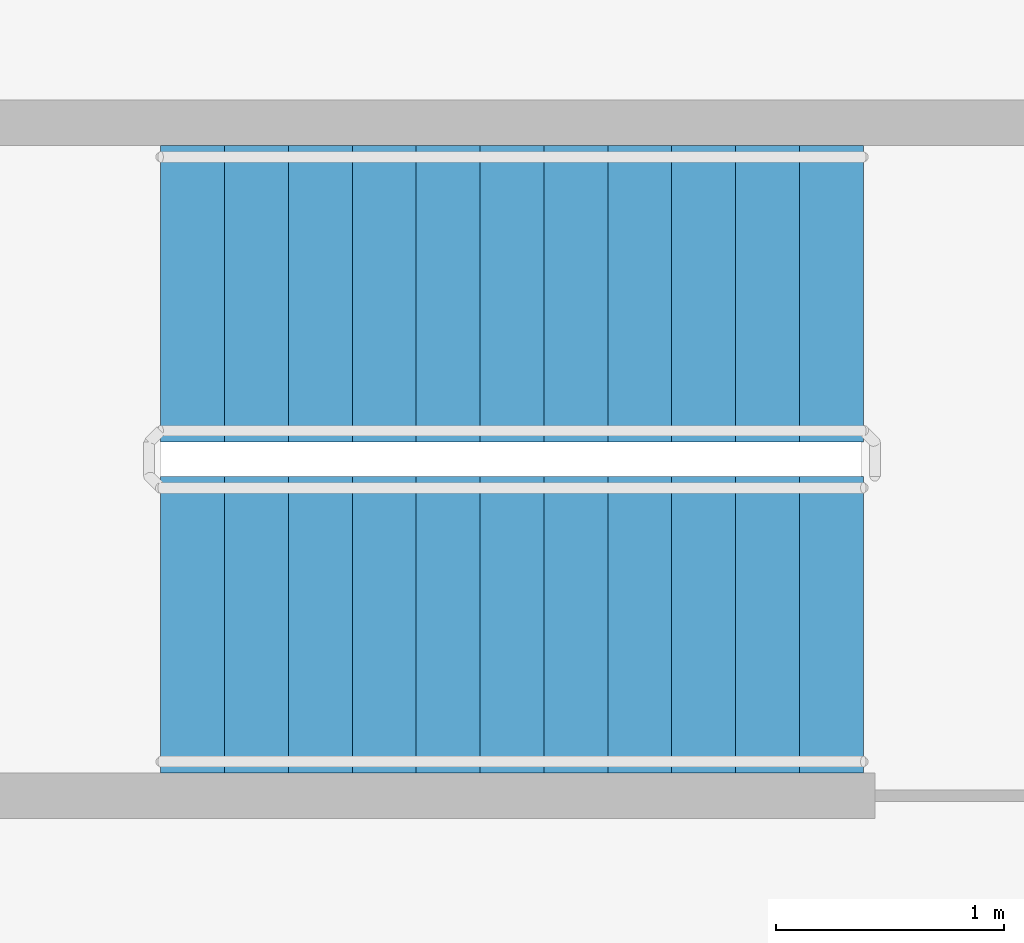
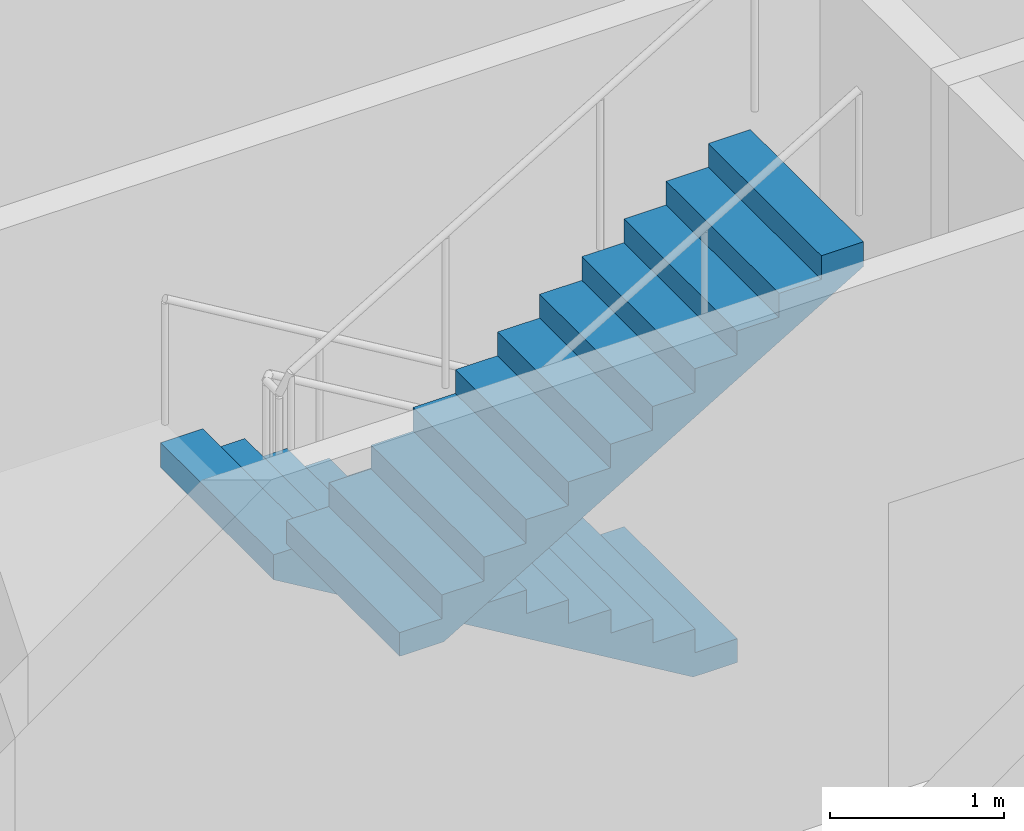
# One storey, part 8 of 9: 2 stair flights, 1 element without a shape of its own.
"""IFC4 building model written with IfcOpenShell, lengths in metres."""

import ifcopenshell
import ifcopenshell.guid

model = None  # the IFC model being written
_history = None  # IfcOwnerHistory: only IFC2X3 demands one
_inside = {}  # id of a spatial element -> (the spatial element, [elements in it])
_under = {}  # id of a project, library or spatial element -> (it, [spatial elements below it])
_declared = {}  # id of a project -> (the project, [libraries it declares])
_typed = {}  # id of a type object -> (the type object, [elements of that type])
_made_of = {}  # id of a material, layer set ... -> (it, [elements and type objects made of it])


def new_model(schema):
    """Start an empty IFC model of exactly this schema.

    Asked for "IFC4X3", IfcOpenShell would pick the latest addendum, in which some entities
    have other attributes; the version numbers below select the first issue.
    IFC2X3 requires an IfcOwnerHistory on every rooted entity: one is made here for all.
    """
    global model, _history
    if schema == "IFC4X3":
        model = ifcopenshell.file(schema_version=(4, 3, 0, 0))
    else:
        model = ifcopenshell.file(schema=schema)
    _inside.clear()
    _under.clear()
    _declared.clear()
    _typed.clear()
    _made_of.clear()
    _history = None
    if model.schema == "IFC2X3":
        org = make("IfcOrganization", Name="unknown")
        user = make(
            "IfcPersonAndOrganization",
            ThePerson=make("IfcPerson", FamilyName="unknown"),
            TheOrganization=org,
        )
        app = make(
            "IfcApplication",
            ApplicationDeveloper=org,
            Version="unknown",
            ApplicationFullName="unknown",
            ApplicationIdentifier="unknown",
        )
        _history = make(
            "IfcOwnerHistory",
            OwningUser=user,
            OwningApplication=app,
            ChangeAction="ADDED",
            CreationDate=0,
        )
    return model


def make(cls, **values):
    """One entity of the class cls with the attributes given. An attribute that is None is left unset."""
    return model.create_entity(
        cls, **{name: value for name, value in values.items() if value is not None}
    )


def rooted(cls, **values):
    """An entity with a GlobalId (a new one), such as an element, a storey or a relation."""
    return make(cls, GlobalId=ifcopenshell.guid.new(), OwnerHistory=_history, **values)


def si_unit(unit_type, name, prefix=None):
    """IfcSIUnit, for example si_unit("LENGTHUNIT", "METRE", prefix="MILLI")."""
    return make("IfcSIUnit", UnitType=unit_type, Prefix=prefix, Name=name)


def assignment(units):
    """IfcUnitAssignment: the units of a project."""
    return None if units is None else make("IfcUnitAssignment", Units=units)


def point(xyz):
    """IfcCartesianPoint."""
    return None if xyz is None else make("IfcCartesianPoint", Coordinates=xyz)


def direction(xyz):
    """IfcDirection."""
    return None if xyz is None else make("IfcDirection", DirectionRatios=xyz)


def frame(location, z_axis=None, x_axis=None):
    """IfcAxis2Placement3D, a coordinate frame: its origin and axes. An axis left out is left unset."""
    return make(
        "IfcAxis2Placement3D",
        Location=point(location),
        Axis=direction(z_axis),
        RefDirection=direction(x_axis),
    )


def origin():
    """The frame at (0, 0, 0) with its axes left unset."""
    return frame((0.0, 0.0, 0.0))


def place(relative_to, where):
    """IfcLocalPlacement: puts the frame where relative to a parent placement (None: the world)."""
    return make(
        "IfcLocalPlacement", PlacementRelTo=relative_to, RelativePlacement=where
    )


def context(
    kind, dimensions, precision=None, world=None, true_north=None, identifier=None
):
    """IfcGeometricRepresentationContext, for example the 3D "Model" context."""
    return make(
        "IfcGeometricRepresentationContext",
        ContextIdentifier=identifier,
        ContextType=kind,
        CoordinateSpaceDimension=dimensions,
        Precision=precision,
        WorldCoordinateSystem=world,
        TrueNorth=true_north,
    )


def subcontext(parent, identifier, kind, view, scale=None):
    """IfcGeometricRepresentationSubContext, for example "Body" below "Model"."""
    return make(
        "IfcGeometricRepresentationSubContext",
        ContextIdentifier=identifier,
        ContextType=kind,
        ParentContext=parent,
        TargetScale=scale,
        TargetView=view,
    )


def project(units=None, contexts=None):
    """IfcProject with its units and contexts."""
    return rooted(
        "IfcProject",
        Name="project",
        RepresentationContexts=contexts,
        UnitsInContext=assignment(units),
    )


def spatial(cls, under=None, at=None, **own):
    """A site, building, storey or space (cls), placed at a placement, below another one or the project."""
    s = rooted(cls, ObjectPlacement=at, **own)
    if under is not None:
        _under.setdefault(under.id(), (under, []))[1].append(s)
    return s


def polyline(points):
    """IfcPolyline through the points."""
    return make("IfcPolyline", Points=[point(p) for p in points])


def outline(outer, holes=None, kind="AREA"):
    """IfcArbitraryClosedProfileDef: a profile drawn as a closed curve; with holes, ...WithVoids."""
    if holes is None:
        return make("IfcArbitraryClosedProfileDef", ProfileType=kind, OuterCurve=outer)
    return make(
        "IfcArbitraryProfileDefWithVoids",
        ProfileType=kind,
        OuterCurve=outer,
        InnerCurves=holes,
    )


def extrude(swept, where, along, depth):
    """IfcExtrudedAreaSolid: the profile swept, set in the frame where, extruded along a direction by depth."""
    return make(
        "IfcExtrudedAreaSolid",
        SweptArea=swept,
        Position=where,
        ExtrudedDirection=direction(along),
        Depth=depth,
    )


def shape(context_of_items, identifier, shape_type, items):
    """IfcShapeRepresentation: the items that make up one representation, for example the "Body"."""
    return make(
        "IfcShapeRepresentation",
        ContextOfItems=context_of_items,
        RepresentationIdentifier=identifier,
        RepresentationType=shape_type,
        Items=items,
    )


def material(Name=None, Category=None):
    """IfcMaterial."""
    return make("IfcMaterial", Name=Name, Category=Category)


def made_of(thing, what):
    """Note that an element or type object is made of a material, layer set ...; save() writes the relation."""
    if what is not None:
        _made_of.setdefault(what.id(), (what, []))[1].append(thing)
    return thing


def type_object(cls, material=None, **own):
    """A type object (cls), such as IfcWallType, which elements share."""
    return made_of(rooted(cls, **own), material)


def element(
    cls,
    number,
    at=None,
    inside=None,
    cuts=None,
    type_object=None,
    material=None,
    context=None,
    identifier="Body",
    shape_type=None,
    held_by="IfcProductDefinitionShape",
    body=None,
    shapes=None,
    **own,
):
    """One element of the class cls, such as IfcWall. Its Tag is "e" and its number.

    at: its placement. inside: the storey or other place that contains it. cuts: it is an
    opening in that element (IfcRelVoidsElement). A single representation is given by context,
    identifier, shape_type and body (its items); several are given by shapes. held_by: the class
    of the entity that holds the representations. save() writes the other relations.
    """
    e = rooted(cls, Tag="e%d" % number, ObjectPlacement=at, **own)
    if body is not None:
        shapes = [shape(context, identifier, shape_type, body)]
    if shapes is not None:
        e.Representation = make(held_by, Representations=shapes)
    if inside is not None:
        _inside.setdefault(inside.id(), (inside, []))[1].append(e)
    if cuts is not None:
        rooted(
            "IfcRelVoidsElement", RelatingBuildingElement=cuts, RelatedOpeningElement=e
        )
    if type_object is not None:
        _typed.setdefault(type_object.id(), (type_object, []))[1].append(e)
    return made_of(e, material)


def aggregate(whole, parts):
    """IfcRelAggregates: a whole, such as a stair, and the parts it consists of."""
    return rooted("IfcRelAggregates", RelatingObject=whole, RelatedObjects=parts)


def save(model, path):
    """Write the relations noted so far, then the file.

    IfcRelAggregates (storeys below a building ...), IfcRelContainedInSpatialStructure (elements
    in a storey), IfcRelDefinesByType, IfcRelAssociatesMaterial and IfcRelDeclares: one each for
    every whole, place, type object, material and project.
    """
    for whole, parts in _under.values():
        aggregate(whole, parts)
    for where, things in _inside.values():
        rooted(
            "IfcRelContainedInSpatialStructure",
            RelatedElements=things,
            RelatingStructure=where,
        )
    for kind, things in _typed.values():
        rooted("IfcRelDefinesByType", RelatedObjects=things, RelatingType=kind)
    for what, things in _made_of.values():
        rooted("IfcRelAssociatesMaterial", RelatedObjects=things, RelatingMaterial=what)
    for by, libraries in _declared.values():
        rooted("IfcRelDeclares", RelatingContext=by, RelatedDefinitions=libraries)
    model.write(path)


model = new_model("IFC4")

# Units and contexts
model_context = context("Model", 3, precision=1e-05, world=origin(), true_north=direction((0.0, 1.0)))
body_context = subcontext(model_context, "Body", "Model", "MODEL_VIEW")
ifc_project = project(units=[si_unit("LENGTHUNIT", "METRE"), si_unit("AREAUNIT", "SQUARE_METRE"), si_unit("VOLUMEUNIT", "CUBIC_METRE"), si_unit("PLANEANGLEUNIT", "RADIAN"), si_unit("MASSUNIT", "GRAM", prefix="KILO")], contexts=[model_context])

# Site, building, storey
site_placement = place(None, origin())
site = spatial("IfcSite", under=ifc_project, at=site_placement, CompositionType="ELEMENT")
building_placement = place(site_placement, origin())
building = spatial("IfcBuilding", under=site, at=building_placement, Name="Corvane Civic Tower", CompositionType="ELEMENT")
storey_placement = place(building_placement, frame((0.0, 0.0, 221.5)))
storey = spatial("IfcBuildingStorey", under=building, at=storey_placement, Name="L52", CompositionType="ELEMENT", Elevation=221.5)

# Stair, stair flights
ifc_material_1 = material(Name="Concrete C40/50", Category="concrete")
stair_type = type_object("IfcStairType", Name="ST-STAIR-HALFTURN", PredefinedType="HALF_TURN_STAIR", material=ifc_material_1)
stair_placement = place(storey_placement, origin())
stair = element("IfcStair", 1, at=stair_placement, inside=storey, type_object=stair_type, Name="L52 Exit stair ST1", PredefinedType="HALF_TURN_STAIR")
ifc_material_2 = material(Name="Concrete C40/50", Category="concrete")
stair_flight_type = type_object("IfcStairFlightType", Name="ST-FLIGHT-RC", PredefinedType="STRAIGHT", material=ifc_material_2)
stair_flight_1_placement = place(storey_placement, frame((8.89990234375, 9.550048828125, 0.0), z_axis=(0.0, 0.0, 1.0), x_axis=(-1.0, 0.0, 0.0)))
stair_flight_1 = element("IfcStairFlight", 2, at=stair_flight_1_placement, type_object=stair_flight_type, Name="ST1 flight 1", NumberOfRisers=12, NumberOfTreads=11, PredefinedType="STRAIGHT", RiserHeight=0.166666667, TreadLength=0.28, context=body_context, shape_type="SweptSolid", body=[
    extrude(outline(polyline([(0.0, 0.0), (0.0, 0.166748046875), (0.280029296875, 0.166748046875), (0.280029296875, 0.333251953125), (0.56005859375, 0.333251953125), (0.56005859375, 0.5), (0.840087890625, 0.5), (0.840087890625, 0.666748046875), (1.1201171875, 0.666748046875), (1.1201171875, 0.833251953125), (1.39990234375, 0.833251953125), (1.39990234375, 1.0), (1.679931640625, 1.0), (1.679931640625, 1.166748046875), (1.9599609375, 1.166748046875), (1.9599609375, 1.333251953125), (2.239990234375, 1.333251953125), (2.239990234375, 1.5), (2.52001953125, 1.5), (2.52001953125, 1.666748046875), (2.800048828125, 1.666748046875), (2.800048828125, 1.833251953125), (3.080078125, 1.833251953125), (3.080078125, 2.0), (3.080078125, 1.658935546875), (0.29296875, 0.0), (0.0, 0.0)])), frame((0.0, 0.64990234375, 0.0), z_axis=(0.0, -1.0, 0.0), x_axis=(1.0, 0.0, 0.0)), (0.0, 0.0, 1.0), 1.300048828125),
])
stair_flight_2_placement = place(storey_placement, frame((5.820068359375, 8.10009765625, 2.0), z_axis=(0.0, 0.0, 1.0), x_axis=(1.0, 0.0, 0.0)))
stair_flight_2 = element("IfcStairFlight", 3, at=stair_flight_2_placement, type_object=stair_flight_type, Name="ST1 flight 2", NumberOfRisers=12, NumberOfTreads=11, PredefinedType="STRAIGHT", RiserHeight=0.166666667, TreadLength=0.28, context=body_context, shape_type="SweptSolid", body=[
    extrude(outline(polyline([(0.0, 0.0), (0.0, 0.166748046875), (0.280029296875, 0.166748046875), (0.280029296875, 0.333251953125), (0.56005859375, 0.333251953125), (0.56005859375, 0.5), (0.840087890625, 0.5), (0.840087890625, 0.666748046875), (1.1201171875, 0.666748046875), (1.1201171875, 0.833251953125), (1.39990234375, 0.833251953125), (1.39990234375, 1.0), (1.679931640625, 1.0), (1.679931640625, 1.166748046875), (1.9599609375, 1.166748046875), (1.9599609375, 1.333251953125), (2.239990234375, 1.333251953125), (2.239990234375, 1.5), (2.52001953125, 1.5), (2.52001953125, 1.666748046875), (2.800048828125, 1.666748046875), (2.800048828125, 1.833251953125), (3.080078125, 1.833251953125), (3.080078125, 2.0), (3.080078125, 1.658935546875), (0.29296875, 0.0), (0.0, 0.0)])), frame((0.0, 0.64990234375, 0.0), z_axis=(0.0, -1.0, 0.0), x_axis=(1.0, 0.0, 0.0)), (0.0, 0.0, 1.0), 1.300048828125),
])
aggregate(stair, [stair_flight_1, stair_flight_2])

save(model, "model.ifc")
